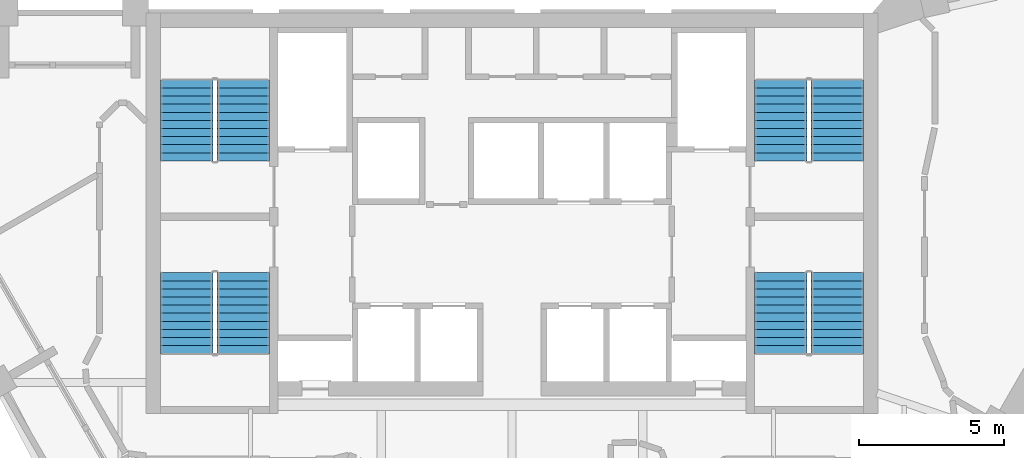
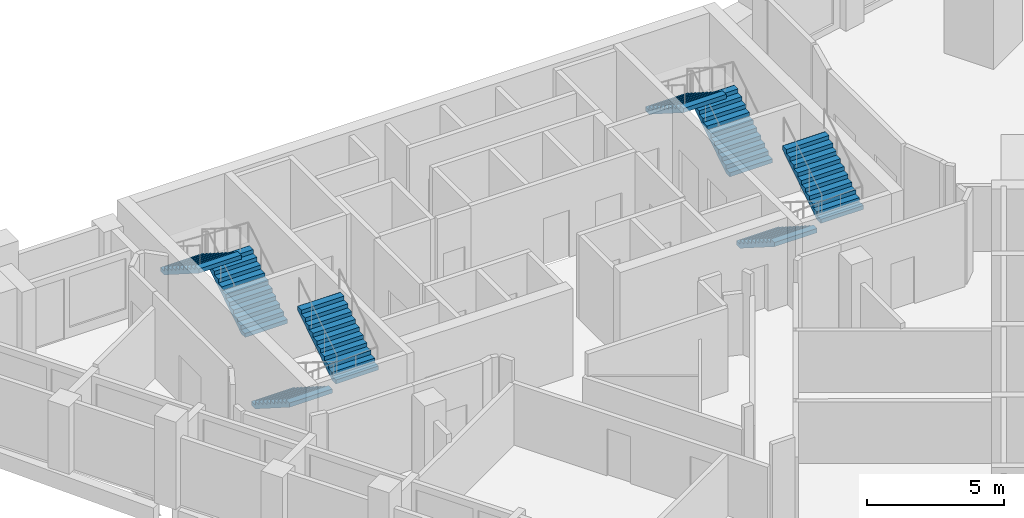
# One storey, part 8 of 9: 8 stair flights, 4 elements without a shape of their own.
"""IFC4 building model written with IfcOpenShell, lengths in metres."""

from ifc_helpers import new_model, si_unit, direction, frame, origin, place, context, subcontext, project, spatial, faceted_brep, source, transform, mapped, material, type_object, element, aggregate, save


model = new_model("IFC4")

# Units and contexts
model_context = context("Model", 3, precision=1e-05, world=origin(), true_north=direction((0.0, 1.0)))
body_context = subcontext(model_context, "Body", "Model", "MODEL_VIEW")
ifc_project = project(units=[si_unit("LENGTHUNIT", "METRE"), si_unit("AREAUNIT", "SQUARE_METRE"), si_unit("VOLUMEUNIT", "CUBIC_METRE"), si_unit("PLANEANGLEUNIT", "RADIAN"), si_unit("MASSUNIT", "GRAM", prefix="KILO")], contexts=[model_context])

# Site, building, storey
site_placement = place(None, origin())
site = spatial("IfcSite", under=ifc_project, at=site_placement, CompositionType="ELEMENT")
building_placement = place(site_placement, origin())
building = spatial("IfcBuilding", under=site, at=building_placement, Name="Calabash Gate Tower", CompositionType="ELEMENT")
storey_placement = place(building_placement, frame((0.0, 0.0, 287.199951171875)))
storey = spatial("IfcBuildingStorey", under=building, at=storey_placement, Name="L69", CompositionType="ELEMENT", Elevation=287.199951171875)

# Stair, stair flights
ifc_material_1 = material(Name="Concrete C40/50", Category="concrete")
stair_type = type_object("IfcStairType", Name="Exit stair 22 risers of 177.3 mm", PredefinedType="HALF_TURN_STAIR", material=ifc_material_1)
stair_1_placement = place(storey_placement, origin())
stair_1 = element("IfcStair", 1, at=stair_1_placement, inside=storey, type_object=stair_type, Name="L69 Exit stair ST1", PredefinedType="HALF_TURN_STAIR")
ifc_material_2 = material(Name="Concrete C40/50", Category="concrete")
stair_flight_type = type_object("IfcStairFlightType", Name="Exit stair flight SFL", PredefinedType="STRAIGHT", material=ifc_material_2)
shared_shape = source(origin(), body_context, "Body", "Brep", [
    faceted_brep([(-0.0009765625, -0.89990234375, 0.0), (0.279541015625, -0.89990234375, 0.0), (2.791015625, -0.89990234375, 1.59521484375), (-0.0009765625, 0.89990234375, 0.0), (2.791015625, 0.89990234375, 1.59521484375), (0.279541015625, 0.89990234375, 0.0), (2.791015625, -0.89990234375, 1.78466796875), (2.7900390625, -0.89990234375, 1.78466796875), (2.7900390625, 0.89990234375, 1.78466796875), (2.791015625, 0.89990234375, 1.78466796875), (2.7900390625, -0.89990234375, 1.772705078125), (2.7900390625, 0.89990234375, 1.772705078125), (2.510986328125, -0.89990234375, 1.772705078125), (2.510986328125, 0.89990234375, 1.772705078125), (2.510986328125, -0.89990234375, 1.595458984375), (2.510986328125, 0.89990234375, 1.595458984375), (2.23193359375, -0.89990234375, 1.595458984375), (2.23193359375, 0.89990234375, 1.595458984375), (2.23193359375, -0.89990234375, 1.418212890625), (2.23193359375, 0.89990234375, 1.418212890625), (1.952880859375, -0.89990234375, 1.418212890625), (1.952880859375, -0.89990234375, 1.240966796875), (1.952880859375, 0.89990234375, 1.240966796875), (1.952880859375, 0.89990234375, 1.418212890625), (1.674072265625, -0.89990234375, 1.240966796875), (1.674072265625, -0.89990234375, 1.063720703125), (1.674072265625, 0.89990234375, 1.063720703125), (1.674072265625, 0.89990234375, 1.240966796875), (1.39501953125, -0.89990234375, 1.063720703125), (1.39501953125, -0.89990234375, 0.886474609375), (1.39501953125, 0.89990234375, 0.886474609375), (1.39501953125, 0.89990234375, 1.063720703125), (1.115966796875, -0.89990234375, 0.886474609375), (1.115966796875, -0.89990234375, 0.708984375), (1.115966796875, 0.89990234375, 0.708984375), (1.115966796875, 0.89990234375, 0.886474609375), (0.8369140625, -0.89990234375, 0.708984375), (0.8369140625, -0.89990234375, 0.53173828125), (0.8369140625, 0.89990234375, 0.53173828125), (0.8369140625, 0.89990234375, 0.708984375), (0.55810546875, -0.89990234375, 0.53173828125), (0.55810546875, -0.89990234375, 0.3544921875), (0.55810546875, 0.89990234375, 0.3544921875), (0.55810546875, 0.89990234375, 0.53173828125), (0.279052734375, -0.89990234375, 0.3544921875), (0.279052734375, -0.89990234375, 0.17724609375), (0.279052734375, 0.89990234375, 0.17724609375), (0.279052734375, 0.89990234375, 0.3544921875), (-0.0009765625, -0.89990234375, 0.17724609375), (-0.0009765625, 0.89990234375, 0.17724609375), (0.279541015625, -0.360107421875, 0.0), (2.791015625, -0.360107421875, 1.59521484375), (0.279541015625, 0.0, 0.0), (2.791015625, 0.0, 1.59521484375), (0.279541015625, 0.360107421875, 0.0), (2.791015625, 0.360107421875, 1.59521484375), (2.791015625, -0.360107421875, 1.78466796875), (2.791015625, 0.0, 1.78466796875), (2.791015625, 0.360107421875, 1.78466796875), (2.7900390625, -0.360107421875, 1.78466796875), (2.7900390625, 0.0, 1.78466796875), (2.7900390625, 0.360107421875, 1.78466796875), (2.7900390625, -0.360107421875, 1.772705078125), (2.7900390625, 0.0, 1.772705078125), (2.7900390625, 0.360107421875, 1.772705078125), (2.510986328125, -0.360107421875, 1.772705078125), (2.510986328125, 0.0, 1.772705078125), (2.510986328125, 0.360107421875, 1.772705078125), (2.510986328125, -0.360107421875, 1.595458984375), (2.510986328125, 0.0, 1.595458984375), (2.510986328125, 0.360107421875, 1.595458984375), (2.23193359375, -0.360107421875, 1.595458984375), (2.23193359375, 0.0, 1.595458984375), (2.23193359375, 0.360107421875, 1.595458984375), (2.23193359375, -0.360107421875, 1.418212890625), (2.23193359375, 0.0, 1.418212890625), (2.23193359375, 0.360107421875, 1.418212890625), (1.952880859375, -0.360107421875, 1.418212890625), (1.952880859375, 0.0, 1.418212890625), (1.952880859375, 0.360107421875, 1.418212890625), (1.952880859375, -0.360107421875, 1.240966796875), (1.952880859375, 0.0, 1.240966796875), (1.952880859375, 0.360107421875, 1.240966796875), (1.674072265625, -0.360107421875, 1.240966796875), (1.674072265625, 0.0, 1.240966796875), (1.674072265625, 0.360107421875, 1.240966796875), (1.674072265625, -0.360107421875, 1.063720703125), (1.674072265625, 0.0, 1.063720703125), (1.674072265625, 0.360107421875, 1.063720703125), (1.39501953125, -0.360107421875, 1.063720703125), (1.39501953125, 0.0, 1.063720703125), (1.39501953125, 0.360107421875, 1.063720703125), (1.39501953125, -0.360107421875, 0.886474609375), (1.39501953125, 0.0, 0.886474609375), (1.39501953125, 0.360107421875, 0.886474609375), (1.115966796875, -0.360107421875, 0.886474609375), (1.115966796875, 0.0, 0.886474609375), (1.115966796875, 0.360107421875, 0.886474609375), (1.115966796875, -0.360107421875, 0.708984375), (1.115966796875, 0.0, 0.708984375), (1.115966796875, 0.360107421875, 0.708984375), (0.8369140625, -0.360107421875, 0.708984375), (0.8369140625, 0.0, 0.708984375), (0.8369140625, 0.360107421875, 0.708984375), (0.8369140625, -0.360107421875, 0.53173828125), (0.8369140625, 0.0, 0.53173828125), (0.8369140625, 0.360107421875, 0.53173828125), (0.55810546875, -0.360107421875, 0.53173828125), (0.55810546875, 0.0, 0.53173828125), (0.55810546875, 0.360107421875, 0.53173828125), (0.55810546875, -0.360107421875, 0.3544921875), (0.55810546875, 0.0, 0.3544921875), (0.55810546875, 0.360107421875, 0.3544921875), (0.279052734375, -0.360107421875, 0.3544921875), (0.279052734375, 0.0, 0.3544921875), (0.279052734375, 0.360107421875, 0.3544921875), (0.279052734375, -0.360107421875, 0.17724609375), (0.279052734375, 0.0, 0.17724609375), (0.279052734375, 0.360107421875, 0.17724609375), (-0.0009765625, -0.360107421875, 0.17724609375), (-0.0009765625, 0.0, 0.17724609375), (-0.0009765625, 0.360107421875, 0.17724609375), (-0.0009765625, -0.360107421875, 0.0), (-0.0009765625, 0.0, 0.0), (-0.0009765625, 0.360107421875, 0.0)], [[[0, 1, 2]], [[3, 4, 5]], [[2, 6, 7]], [[4, 8, 9]], [[2, 7, 10]], [[4, 11, 8]], [[2, 10, 12]], [[4, 13, 11]], [[2, 12, 14]], [[4, 15, 13]], [[2, 14, 16]], [[4, 17, 15]], [[2, 16, 18]], [[4, 19, 17]], [[18, 20, 21]], [[19, 22, 23]], [[2, 18, 21]], [[4, 22, 19]], [[21, 24, 25]], [[22, 26, 27]], [[2, 21, 25]], [[4, 26, 22]], [[25, 28, 29]], [[26, 30, 31]], [[2, 25, 29]], [[4, 30, 26]], [[29, 32, 33]], [[30, 34, 35]], [[2, 29, 33]], [[4, 34, 30]], [[33, 36, 37]], [[34, 38, 39]], [[2, 33, 37]], [[4, 38, 34]], [[37, 40, 41]], [[38, 42, 43]], [[2, 37, 41]], [[4, 42, 38]], [[41, 44, 45]], [[42, 46, 47]], [[2, 41, 45]], [[4, 46, 42]], [[0, 2, 45]], [[3, 46, 4]], [[45, 48, 0]], [[46, 3, 49]], [[1, 50, 2]], [[50, 51, 2]], [[50, 52, 51]], [[52, 53, 51]], [[52, 54, 55]], [[52, 55, 53]], [[54, 5, 4]], [[54, 4, 55]], [[2, 51, 6]], [[51, 56, 6]], [[51, 53, 56]], [[53, 57, 56]], [[53, 55, 58]], [[53, 58, 57]], [[55, 4, 9]], [[55, 9, 58]], [[6, 56, 7]], [[56, 59, 7]], [[56, 57, 59]], [[57, 60, 59]], [[57, 58, 61]], [[57, 61, 60]], [[58, 9, 8]], [[58, 8, 61]], [[7, 59, 10]], [[59, 62, 10]], [[59, 60, 62]], [[60, 63, 62]], [[60, 61, 64]], [[60, 64, 63]], [[61, 8, 11]], [[61, 11, 64]], [[10, 62, 12]], [[62, 65, 12]], [[62, 63, 65]], [[63, 66, 65]], [[63, 64, 67]], [[63, 67, 66]], [[64, 11, 13]], [[64, 13, 67]], [[12, 65, 14]], [[65, 68, 14]], [[65, 66, 68]], [[66, 69, 68]], [[66, 67, 70]], [[66, 70, 69]], [[67, 13, 15]], [[67, 15, 70]], [[14, 68, 16]], [[68, 71, 16]], [[68, 69, 71]], [[69, 72, 71]], [[69, 70, 73]], [[69, 73, 72]], [[70, 15, 17]], [[70, 17, 73]], [[16, 71, 18]], [[71, 74, 18]], [[71, 72, 74]], [[72, 75, 74]], [[72, 73, 76]], [[72, 76, 75]], [[73, 17, 19]], [[73, 19, 76]], [[18, 74, 20]], [[74, 77, 20]], [[74, 75, 77]], [[75, 78, 77]], [[75, 76, 79]], [[75, 79, 78]], [[76, 19, 23]], [[76, 23, 79]], [[20, 77, 21]], [[77, 80, 21]], [[77, 78, 80]], [[78, 81, 80]], [[78, 79, 82]], [[78, 82, 81]], [[79, 23, 22]], [[79, 22, 82]], [[21, 80, 24]], [[80, 83, 24]], [[80, 81, 83]], [[81, 84, 83]], [[81, 82, 85]], [[81, 85, 84]], [[82, 22, 27]], [[82, 27, 85]], [[24, 83, 25]], [[83, 86, 25]], [[83, 84, 86]], [[84, 87, 86]], [[84, 85, 88]], [[84, 88, 87]], [[85, 27, 26]], [[85, 26, 88]], [[25, 86, 28]], [[86, 89, 28]], [[86, 87, 89]], [[87, 90, 89]], [[87, 88, 91]], [[87, 91, 90]], [[88, 26, 31]], [[88, 31, 91]], [[28, 89, 29]], [[89, 92, 29]], [[89, 90, 92]], [[90, 93, 92]], [[90, 91, 94]], [[90, 94, 93]], [[91, 31, 30]], [[91, 30, 94]], [[29, 92, 32]], [[92, 95, 32]], [[92, 93, 95]], [[93, 96, 95]], [[93, 94, 97]], [[93, 97, 96]], [[94, 30, 35]], [[94, 35, 97]], [[32, 95, 33]], [[95, 98, 33]], [[95, 96, 98]], [[96, 99, 98]], [[96, 97, 100]], [[96, 100, 99]], [[97, 35, 34]], [[97, 34, 100]], [[33, 98, 36]], [[98, 101, 36]], [[98, 99, 101]], [[99, 102, 101]], [[99, 100, 103]], [[99, 103, 102]], [[100, 34, 39]], [[100, 39, 103]], [[36, 101, 37]], [[101, 104, 37]], [[101, 102, 104]], [[102, 105, 104]], [[102, 103, 106]], [[102, 106, 105]], [[103, 39, 38]], [[103, 38, 106]], [[37, 104, 40]], [[104, 107, 40]], [[104, 105, 107]], [[105, 108, 107]], [[105, 106, 109]], [[105, 109, 108]], [[106, 38, 43]], [[106, 43, 109]], [[40, 107, 41]], [[107, 110, 41]], [[107, 108, 110]], [[108, 111, 110]], [[108, 109, 112]], [[108, 112, 111]], [[109, 43, 42]], [[109, 42, 112]], [[41, 110, 44]], [[110, 113, 44]], [[110, 111, 113]], [[111, 114, 113]], [[111, 112, 115]], [[111, 115, 114]], [[112, 42, 47]], [[112, 47, 115]], [[44, 113, 45]], [[113, 116, 45]], [[113, 114, 116]], [[114, 117, 116]], [[114, 115, 118]], [[114, 118, 117]], [[115, 47, 46]], [[115, 46, 118]], [[45, 116, 48]], [[116, 119, 48]], [[116, 117, 119]], [[117, 120, 119]], [[117, 118, 121]], [[117, 121, 120]], [[118, 46, 49]], [[118, 49, 121]], [[48, 119, 0]], [[119, 122, 0]], [[119, 120, 122]], [[120, 123, 122]], [[120, 121, 124]], [[120, 124, 123]], [[121, 49, 3]], [[121, 3, 124]], [[0, 122, 1]], [[122, 50, 1]], [[122, 123, 50]], [[123, 52, 50]], [[123, 124, 54]], [[123, 54, 52]], [[124, 3, 5]], [[124, 5, 54]]]),
])
stair_flight_1_placement = place(storey_placement, frame((-9.25, 13.95263671875, 0.0), z_axis=(0.0, 0.0, 1.0), x_axis=(0.0, 1.0, 0.0)))
stair_flight_1 = element("IfcStairFlight", 2, at=stair_flight_1_placement, type_object=stair_flight_type, Name="ST1 flight 1", NumberOfRisers=11, NumberOfTreads=10, PredefinedType="STRAIGHT", RiserHeight=0.177272727, TreadLength=0.279, context=body_context, shape_type="MappedRepresentation", body=[
    mapped(shared_shape, transform((0.0, 0.0, 0.0), scale=1.0)),
])
stair_flight_2_placement = place(storey_placement, frame((-11.199951171875, 16.74267578125, 1.949951171875), z_axis=(0.0, 0.0, 1.0), x_axis=(0.0, -1.0, 0.0)))
stair_flight_2 = element("IfcStairFlight", 3, at=stair_flight_2_placement, type_object=stair_flight_type, Name="ST1 flight 2", NumberOfRisers=11, NumberOfTreads=10, PredefinedType="STRAIGHT", RiserHeight=0.177272727, TreadLength=0.279, context=body_context, shape_type="MappedRepresentation", body=[
    mapped(shared_shape, transform((0.0, 0.0, 0.0), scale=1.0)),
])
aggregate(stair_1, [stair_flight_1, stair_flight_2])

stair_2_placement = place(storey_placement, origin())
stair_2 = element("IfcStair", 4, at=stair_2_placement, inside=storey, type_object=stair_type, Name="L69 Exit stair ST2", PredefinedType="HALF_TURN_STAIR")
stair_flight_3_placement = place(storey_placement, frame((-11.199951171875, 10.1025390625, 0.0), z_axis=(0.0, 0.0, 1.0), x_axis=(0.0, -1.0, 0.0)))
stair_flight_3 = element("IfcStairFlight", 5, at=stair_flight_3_placement, type_object=stair_flight_type, Name="ST2 flight 1", NumberOfRisers=11, NumberOfTreads=10, PredefinedType="STRAIGHT", RiserHeight=0.177272727, TreadLength=0.279, context=body_context, shape_type="MappedRepresentation", body=[
    mapped(shared_shape, transform((0.0, 0.0, 0.0), scale=1.0)),
])
stair_flight_4_placement = place(storey_placement, frame((-9.25, 7.3125, 1.949951171875), z_axis=(0.0, 0.0, 1.0), x_axis=(0.0, 1.0, 0.0)))
stair_flight_4 = element("IfcStairFlight", 6, at=stair_flight_4_placement, type_object=stair_flight_type, Name="ST2 flight 2", NumberOfRisers=11, NumberOfTreads=10, PredefinedType="STRAIGHT", RiserHeight=0.177272727, TreadLength=0.279, context=body_context, shape_type="MappedRepresentation", body=[
    mapped(shared_shape, transform((0.0, 0.0, 0.0), scale=1.0)),
])
aggregate(stair_2, [stair_flight_3, stair_flight_4])

stair_3_placement = place(storey_placement, origin())
stair_3 = element("IfcStair", 7, at=stair_3_placement, inside=storey, type_object=stair_type, Name="L69 Exit stair ST3", PredefinedType="HALF_TURN_STAIR")
stair_flight_5_placement = place(storey_placement, frame((11.199951171875, 13.95263671875, 0.0), z_axis=(0.0, 0.0, 1.0), x_axis=(0.0, 1.0, 0.0)))
stair_flight_5 = element("IfcStairFlight", 8, at=stair_flight_5_placement, type_object=stair_flight_type, Name="ST3 flight 1", NumberOfRisers=11, NumberOfTreads=10, PredefinedType="STRAIGHT", RiserHeight=0.177272727, TreadLength=0.279, context=body_context, shape_type="MappedRepresentation", body=[
    mapped(shared_shape, transform((0.0, 0.0, 0.0), scale=1.0)),
])
stair_flight_6_placement = place(storey_placement, frame((9.25, 16.74267578125, 1.949951171875), z_axis=(0.0, 0.0, 1.0), x_axis=(0.0, -1.0, 0.0)))
stair_flight_6 = element("IfcStairFlight", 9, at=stair_flight_6_placement, type_object=stair_flight_type, Name="ST3 flight 2", NumberOfRisers=11, NumberOfTreads=10, PredefinedType="STRAIGHT", RiserHeight=0.177272727, TreadLength=0.279, context=body_context, shape_type="MappedRepresentation", body=[
    mapped(shared_shape, transform((0.0, 0.0, 0.0), scale=1.0)),
])
aggregate(stair_3, [stair_flight_5, stair_flight_6])

stair_4_placement = place(storey_placement, origin())
stair_4 = element("IfcStair", 10, at=stair_4_placement, inside=storey, type_object=stair_type, Name="L69 Exit stair ST4", PredefinedType="HALF_TURN_STAIR")
stair_flight_7_placement = place(storey_placement, frame((9.25, 10.1025390625, 0.0), z_axis=(0.0, 0.0, 1.0), x_axis=(0.0, -1.0, 0.0)))
stair_flight_7 = element("IfcStairFlight", 11, at=stair_flight_7_placement, type_object=stair_flight_type, Name="ST4 flight 1", NumberOfRisers=11, NumberOfTreads=10, PredefinedType="STRAIGHT", RiserHeight=0.177272727, TreadLength=0.279, context=body_context, shape_type="MappedRepresentation", body=[
    mapped(shared_shape, transform((0.0, 0.0, 0.0), scale=1.0)),
])
stair_flight_8_placement = place(storey_placement, frame((11.199951171875, 7.3125, 1.949951171875), z_axis=(0.0, 0.0, 1.0), x_axis=(0.0, 1.0, 0.0)))
stair_flight_8 = element("IfcStairFlight", 12, at=stair_flight_8_placement, type_object=stair_flight_type, Name="ST4 flight 2", NumberOfRisers=11, NumberOfTreads=10, PredefinedType="STRAIGHT", RiserHeight=0.177272727, TreadLength=0.279, context=body_context, shape_type="MappedRepresentation", body=[
    mapped(shared_shape, transform((0.0, 0.0, 0.0), scale=1.0)),
])
aggregate(stair_4, [stair_flight_7, stair_flight_8])

save(model, "model.ifc")
